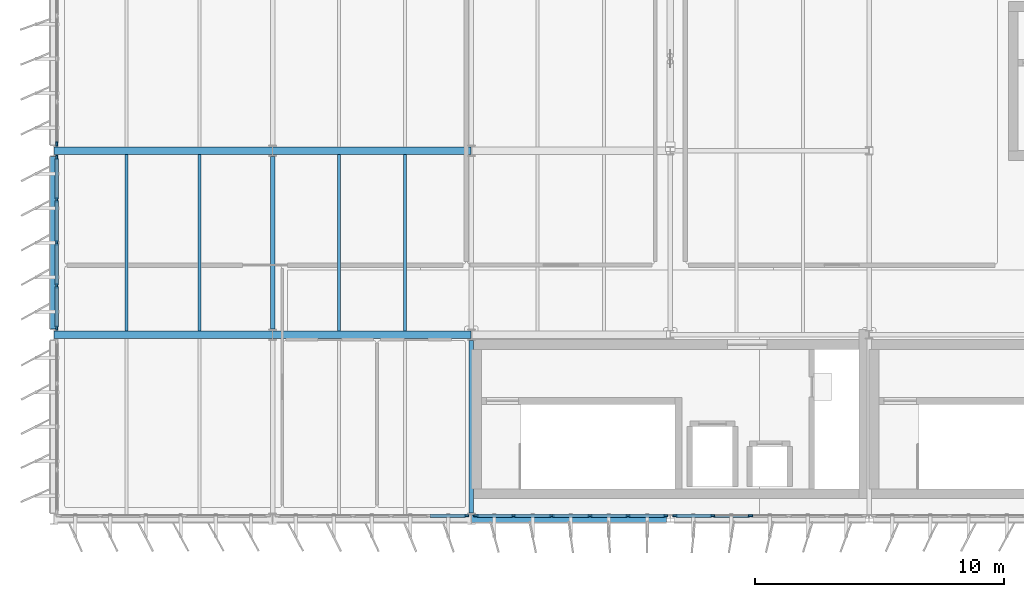
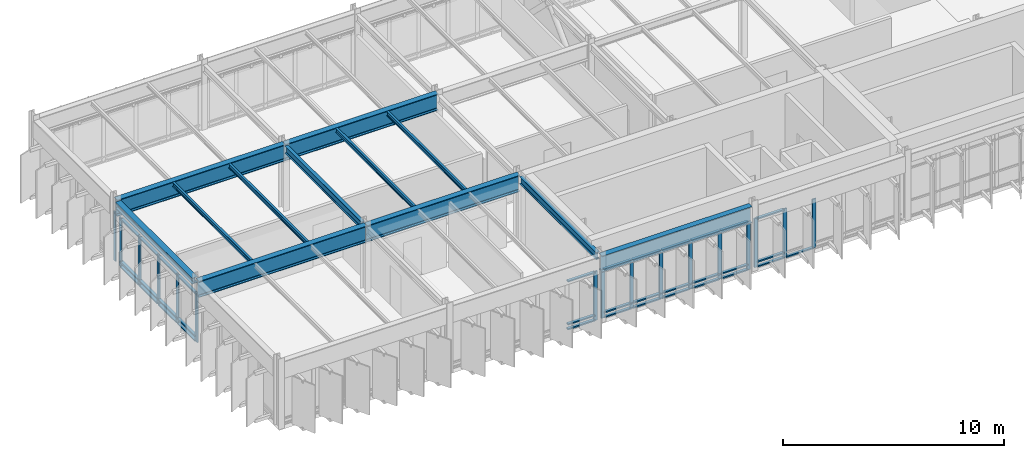
# One storey, part 4 of 20: 50 members, 12 beams, 5 elements without a shape of their own.
"""IFC4 building model written with IfcOpenShell, lengths in metres."""

from ifc_helpers import new_model, si_unit, direction, frame, origin, origin_2d, place, context, subcontext, project, spatial, rectangle, i_section, extrude, material, layer, layer_set, material_profile, profile_set, type_object, element, aggregate, save


model = new_model("IFC4")

# Units and contexts
model_context = context("Model", 3, precision=1e-05, world=origin(), true_north=direction((0.0, 1.0)))
body_context = subcontext(model_context, "Body", "Model", "MODEL_VIEW")
ifc_project = project(units=[si_unit("LENGTHUNIT", "METRE"), si_unit("AREAUNIT", "SQUARE_METRE"), si_unit("VOLUMEUNIT", "CUBIC_METRE"), si_unit("PLANEANGLEUNIT", "RADIAN"), si_unit("MASSUNIT", "GRAM", prefix="KILO")], contexts=[model_context])

# Site, building, storey
site_placement = place(None, origin())
site = spatial("IfcSite", under=ifc_project, at=site_placement, CompositionType="ELEMENT")
building_placement = place(site_placement, origin())
building = spatial("IfcBuilding", under=site, at=building_placement, Name="Valkorina Park Police Headquarters", CompositionType="ELEMENT")
storey_placement = place(building_placement, frame((0.0, 0.0, 31.10009765625)))
storey = spatial("IfcBuildingStorey", under=building, at=storey_placement, Name="L08", CompositionType="ELEMENT", Elevation=31.10009765625)

# Beams
ifc_material_1 = material(Name="Steel S355", Category="steel")
ifc_material_profile_1 = material_profile(ifc_material_1, i_section(OverallWidth=0.300048828125, OverallDepth=0.330078125, WebThickness=0.009521484375, FlangeThickness=0.0166015625, FilletRadius=0.027099609375, at=origin_2d()), Name="HEA 340")
ifc_profile_set_1 = profile_set([ifc_material_profile_1], Name="Steel S355")
beam_type_1 = type_object("IfcBeamType", Name="BM-S355-HEA340-SPN", PredefinedType="SPANDREL", material=ifc_profile_set_1)
beam_1_placement = place(storey_placement, frame((0.0, 44.625, 3.454833984375), z_axis=(0.0, 1.0, 0.0), x_axis=(-1.0, 0.0, 0.0)))
element("IfcBeam", 1, at=beam_1_placement, inside=storey, type_object=beam_type_1, Name="L08 Framing Beam 2821", PredefinedType="SPANDREL", context=body_context, shape_type="SweptSolid", body=[
    extrude(i_section(OverallWidth=0.300048828125, OverallDepth=0.330078125, WebThickness=0.009521484375, FlangeThickness=0.0166015625, FilletRadius=0.027099609375, at=origin_2d()), origin(), (0.0, 0.0, 1.0), 6.949951171875),
])
ifc_material_profile_2 = material_profile(ifc_material_1, i_section(OverallWidth=0.300048828125, OverallDepth=0.89990234375, WebThickness=0.0185546875, FlangeThickness=0.034912109375, FilletRadius=0.030029296875, at=origin_2d()), Name="HEB 900")
ifc_profile_set_2 = profile_set([ifc_material_profile_2], Name="Steel S355")
beam_type_2 = type_object("IfcBeamType", Name="BM-S355-HEB900-BM", PredefinedType="BEAM", material=ifc_profile_set_2)
beam_2_placement = place(storey_placement, frame((0.007080078125, 44.39990234375, 3.169921875), z_axis=(1.0, 0.0, 0.0), x_axis=(0.0, 1.0, 0.0)))
element("IfcBeam", 2, at=beam_2_placement, inside=storey, type_object=beam_type_2, Name="L08 Framing Beam 2800", PredefinedType="BEAM", context=body_context, shape_type="SweptSolid", body=[
    extrude(i_section(OverallWidth=0.300048828125, OverallDepth=0.89990234375, WebThickness=0.0185546875, FlangeThickness=0.034912109375, FilletRadius=0.030029296875, at=origin_2d()), origin(), (0.0, 0.0, 1.0), 8.785888671875),
])
beam_3_placement = place(storey_placement, frame((8.806884765625, 44.39990234375, 3.169921875), z_axis=(1.0, 0.0, 0.0), x_axis=(0.0, 1.0, 0.0)))
element("IfcBeam", 3, at=beam_3_placement, inside=storey, type_object=beam_type_2, Name="L08 Framing Beam 2801", PredefinedType="BEAM", context=body_context, shape_type="SweptSolid", body=[
    extrude(i_section(OverallWidth=0.300048828125, OverallDepth=0.89990234375, WebThickness=0.0185546875, FlangeThickness=0.034912109375, FilletRadius=0.030029296875, at=origin_2d()), origin(), (0.0, 0.0, 1.0), 7.986083984375),
])
beam_4_placement = place(storey_placement, frame((0.007080078125, 51.800048828125, 3.169921875), z_axis=(1.0, 0.0, 0.0), x_axis=(0.0, 1.0, 0.0)))
element("IfcBeam", 4, at=beam_4_placement, inside=storey, type_object=beam_type_2, Name="L08 Framing Beam 2807", PredefinedType="BEAM", context=body_context, shape_type="SweptSolid", body=[
    extrude(i_section(OverallWidth=0.300048828125, OverallDepth=0.89990234375, WebThickness=0.0185546875, FlangeThickness=0.034912109375, FilletRadius=0.030029296875, at=origin_2d()), origin(), (0.0, 0.0, 1.0), 8.785888671875),
])
beam_5_placement = place(storey_placement, frame((8.806884765625, 51.800048828125, 3.169921875), z_axis=(1.0, 0.0, 0.0), x_axis=(0.0, 1.0, 0.0)))
element("IfcBeam", 5, at=beam_5_placement, inside=storey, type_object=beam_type_2, Name="L08 Framing Beam 2808", PredefinedType="BEAM", context=body_context, shape_type="SweptSolid", body=[
    extrude(i_section(OverallWidth=0.300048828125, OverallDepth=0.89990234375, WebThickness=0.0185546875, FlangeThickness=0.034912109375, FilletRadius=0.030029296875, at=origin_2d()), origin(), (0.0, 0.0, 1.0), 7.986083984375),
])
ifc_material_profile_3 = material_profile(ifc_material_1, i_section(OverallWidth=0.300048828125, OverallDepth=0.89990234375, WebThickness=0.0185546875, FlangeThickness=0.034912109375, FilletRadius=0.030029296875, at=origin_2d()), Name="HEB 900")
ifc_profile_set_3 = profile_set([ifc_material_profile_3], Name="Steel S355")
beam_type_3 = type_object("IfcBeamType", Name="BM-S355-HEB900-EXT", PredefinedType="SPANDREL", material=ifc_profile_set_3)
beam_6_placement = place(storey_placement, frame((16.806884765625, 37.0, 3.169921875), z_axis=(1.0, 0.0, 0.0), x_axis=(0.0, 1.0, 0.0)))
element("IfcBeam", 6, at=beam_6_placement, inside=storey, type_object=beam_type_3, Name="L08 Framing Beam 2795", PredefinedType="SPANDREL", context=body_context, shape_type="SweptSolid", body=[
    extrude(i_section(OverallWidth=0.300048828125, OverallDepth=0.89990234375, WebThickness=0.0185546875, FlangeThickness=0.034912109375, FilletRadius=0.030029296875, at=origin_2d()), origin(), (0.0, 0.0, 1.0), 7.843017578125),
])
ifc_material_profile_4 = material_profile(ifc_material_1, i_section(OverallWidth=0.1201171875, OverallDepth=0.239990234375, WebThickness=0.006103515625, FlangeThickness=0.009765625, FilletRadius=0.014892578125, at=origin_2d()), Name="IPE 240")
ifc_profile_set_4 = profile_set([ifc_material_profile_4], Name="Steel S355")
beam_type_4 = type_object("IfcBeamType", Name="BM-S355-IPE240-JST", PredefinedType="JOIST", material=ifc_profile_set_4)
for number, where, z_axis, x_axis, name in (
    (7, (2.933349609375, 44.550048828125, 3.5), (0.0, 1.0, 0.0), (-1.0, 0.0, 0.0), "L08 Framing Beam 2822"),
    (8, (5.86669921875, 44.550048828125, 3.5), (0.0, 1.0, 0.0), (-1.0, 0.0, 0.0), "L08 Framing Beam 2823"),
    (9, (11.466796875, 44.550048828125, 3.5), (0.0, 1.0, 0.0), (-1.0, 0.0, 0.0), "L08 Framing Beam 2831"),
    (10, (14.13330078125, 44.550048828125, 3.5), (0.0, 1.0, 0.0), (-1.0, 0.0, 0.0), "L08 Framing Beam 2832"),
):
    element("IfcBeam", number, at=place(storey_placement, frame(where, z_axis=z_axis, x_axis=x_axis)), inside=storey, type_object=beam_type_4, Name=name, PredefinedType="JOIST", context=body_context, shape_type="SweptSolid", body=[
        extrude(i_section(OverallWidth=0.1201171875, OverallDepth=0.239990234375, WebThickness=0.006103515625, FlangeThickness=0.009765625, FilletRadius=0.014892578125, at=origin_2d()), origin(), (0.0, 0.0, 1.0), 7.099853515625),
    ])
ifc_material_profile_5 = material_profile(ifc_material_1, i_section(OverallWidth=0.179931640625, OverallDepth=0.39990234375, WebThickness=0.008544921875, FlangeThickness=0.013427734375, FilletRadius=0.02099609375, at=origin_2d()), Name="IPE 400")
ifc_profile_set_5 = profile_set([ifc_material_profile_5], Name="Steel S355")
beam_type_5 = type_object("IfcBeamType", Name="BM-S355-IPE400-BM", PredefinedType="BEAM", material=ifc_profile_set_5)
for number, where, z_axis, x_axis, name in (
    (11, (8.800048828125, 44.625, 3.419921875), (0.0, 1.0, 0.0), (-1.0, 0.0, 0.0), "L08 Framing Beam 2830"),
    (12, (16.800048828125, 37.22509765625, 3.419921875), (0.0, 1.0, 0.0), (-1.0, 0.0, 0.0), "L08 Framing Beam 2836"),
):
    element("IfcBeam", number, at=place(storey_placement, frame(where, z_axis=z_axis, x_axis=x_axis)), inside=storey, type_object=beam_type_5, Name=name, PredefinedType="BEAM", context=body_context, shape_type="SweptSolid", body=[
        extrude(i_section(OverallWidth=0.179931640625, OverallDepth=0.39990234375, WebThickness=0.008544921875, FlangeThickness=0.013427734375, FilletRadius=0.02099609375, at=origin_2d()), origin(), (0.0, 0.0, 1.0), 6.949951171875),
    ])

# Curtain wall, members
ifc_material_2 = material(Name="Thermally broken aluminium AW-6060", Category="aluminium")
ifc_layer_1 = layer(ifc_material_2, 0.18994140625)
ifc_layer_set_1 = layer_set([ifc_layer_1], Name="Thermally broken aluminium AW-6060")
curtain_wall_type_1 = type_object("IfcCurtainWallType", Name="CW-V5-7680x2710", PredefinedType="NOTDEFINED", material=ifc_layer_set_1)
curtain_wall_1_placement = place(storey_placement, origin())
curtain_wall_1 = element("IfcCurtainWall", 13, at=curtain_wall_1_placement, inside=storey, type_object=curtain_wall_type_1, Name="L08 Unitised Curtain Wall 159", PredefinedType="NOTDEFINED")
ifc_material_profile_6 = material_profile(ifc_material_2, rectangle(XDim=0.070068359375, YDim=0.18994140625, at=origin_2d()), Name="CWM-02 70x190")
ifc_profile_set_6 = profile_set([ifc_material_profile_6], Name="Thermally broken aluminium AW-6060")
member_type_1 = type_object("IfcMemberType", Name="CWM-70x190", PredefinedType="MULLION", material=ifc_profile_set_6)
member_1_placement = place(storey_placement, frame((28.031982421875, 37.1201171875, 0.0), z_axis=(0.0, 0.0, 1.0), x_axis=(0.0, -1.0, 0.0)))
member_1 = element("IfcMember", 14, at=member_1_placement, type_object=member_type_1, Name="CW-V5-768-271 mullion 4", PredefinedType="MULLION", context=body_context, shape_type="SweptSolid", body=[
    extrude(rectangle(XDim=0.070068359375, YDim=0.18994140625, at=origin_2d()), origin(), (0.0, 0.0, 1.0), 2.7099609375),
])
member_2_placement = place(storey_placement, frame((26.49609375, 37.1201171875, 0.0), z_axis=(0.0, 0.0, 1.0), x_axis=(0.0, -1.0, 0.0)))
member_2 = element("IfcMember", 15, at=member_2_placement, type_object=member_type_1, Name="CW-V5-768-271 mullion 5", PredefinedType="MULLION", context=body_context, shape_type="SweptSolid", body=[
    extrude(rectangle(XDim=0.070068359375, YDim=0.18994140625, at=origin_2d()), origin(), (0.0, 0.0, 1.0), 2.7099609375),
])
member_3_placement = place(storey_placement, frame((24.9951171875, 37.1201171875, 0.0), z_axis=(0.0, 0.0, 1.0), x_axis=(0.0, -1.0, 0.0)))
member_3 = element("IfcMember", 16, at=member_3_placement, type_object=member_type_1, Name="CW-V5-768-271 mullion 6", PredefinedType="MULLION", context=body_context, shape_type="SweptSolid", body=[
    extrude(rectangle(XDim=0.070068359375, YDim=0.18994140625, at=origin_2d()), origin(), (0.0, 0.0, 1.0), 2.7099609375),
])

curtain_wall_2_placement = place(storey_placement, origin())
curtain_wall_2 = element("IfcCurtainWall", 17, at=curtain_wall_2_placement, inside=storey, type_object=curtain_wall_type_1, Name="L08 Unitised Curtain Wall 160", PredefinedType="NOTDEFINED")
member_4_placement = place(storey_placement, frame((24.60498046875, 37.1201171875, 0.0), z_axis=(0.0, 0.0, 1.0), x_axis=(0.0, -1.0, 0.0)))
member_4 = element("IfcMember", 18, at=member_4_placement, type_object=member_type_1, Name="CW-V5-768-271 mullion 1", PredefinedType="MULLION", context=body_context, shape_type="SweptSolid", body=[
    extrude(rectangle(XDim=0.070068359375, YDim=0.18994140625, at=origin_2d()), origin(), (0.0, 0.0, 1.0), 2.7099609375),
])
member_5_placement = place(storey_placement, frame((23.10400390625, 37.1201171875, 0.0), z_axis=(0.0, 0.0, 1.0), x_axis=(0.0, -1.0, 0.0)))
member_5 = element("IfcMember", 19, at=member_5_placement, type_object=member_type_1, Name="CW-V5-768-271 mullion 2", PredefinedType="MULLION", context=body_context, shape_type="SweptSolid", body=[
    extrude(rectangle(XDim=0.070068359375, YDim=0.18994140625, at=origin_2d()), origin(), (0.0, 0.0, 1.0), 2.7099609375),
])
member_6_placement = place(storey_placement, frame((21.568115234375, 37.1201171875, 0.0), z_axis=(0.0, 0.0, 1.0), x_axis=(0.0, -1.0, 0.0)))
member_6 = element("IfcMember", 20, at=member_6_placement, type_object=member_type_1, Name="CW-V5-768-271 mullion 3", PredefinedType="MULLION", context=body_context, shape_type="SweptSolid", body=[
    extrude(rectangle(XDim=0.070068359375, YDim=0.18994140625, at=origin_2d()), origin(), (0.0, 0.0, 1.0), 2.7099609375),
])
member_7_placement = place(storey_placement, frame((20.031982421875, 37.1201171875, 0.0), z_axis=(0.0, 0.0, 1.0), x_axis=(0.0, -1.0, 0.0)))
member_7 = element("IfcMember", 21, at=member_7_placement, type_object=member_type_1, Name="CW-V5-768-271 mullion 4", PredefinedType="MULLION", context=body_context, shape_type="SweptSolid", body=[
    extrude(rectangle(XDim=0.070068359375, YDim=0.18994140625, at=origin_2d()), origin(), (0.0, 0.0, 1.0), 2.7099609375),
])
member_8_placement = place(storey_placement, frame((18.49609375, 37.1201171875, 0.0), z_axis=(0.0, 0.0, 1.0), x_axis=(0.0, -1.0, 0.0)))
member_8 = element("IfcMember", 22, at=member_8_placement, type_object=member_type_1, Name="CW-V5-768-271 mullion 5", PredefinedType="MULLION", context=body_context, shape_type="SweptSolid", body=[
    extrude(rectangle(XDim=0.070068359375, YDim=0.18994140625, at=origin_2d()), origin(), (0.0, 0.0, 1.0), 2.7099609375),
])
member_9_placement = place(storey_placement, frame((16.9951171875, 37.1201171875, 0.0), z_axis=(0.0, 0.0, 1.0), x_axis=(0.0, -1.0, 0.0)))
member_9 = element("IfcMember", 23, at=member_9_placement, type_object=member_type_1, Name="CW-V5-768-271 mullion 6", PredefinedType="MULLION", context=body_context, shape_type="SweptSolid", body=[
    extrude(rectangle(XDim=0.070068359375, YDim=0.18994140625, at=origin_2d()), origin(), (0.0, 0.0, 1.0), 2.7099609375),
])

# Curtain wall, member
curtain_wall_3_placement = place(storey_placement, origin())
curtain_wall_3 = element("IfcCurtainWall", 24, at=curtain_wall_3_placement, inside=storey, type_object=curtain_wall_type_1, Name="L08 Unitised Curtain Wall 161", PredefinedType="NOTDEFINED")
member_10_placement = place(storey_placement, frame((16.60498046875, 37.1201171875, 0.0), z_axis=(0.0, 0.0, 1.0), x_axis=(0.0, -1.0, 0.0)))
member_10 = element("IfcMember", 25, at=member_10_placement, type_object=member_type_1, Name="CW-V5-768-271 mullion 1", PredefinedType="MULLION", context=body_context, shape_type="SweptSolid", body=[
    extrude(rectangle(XDim=0.070068359375, YDim=0.18994140625, at=origin_2d()), origin(), (0.0, 0.0, 1.0), 2.7099609375),
])

# Curtain wall, members
ifc_layer_2 = layer(ifc_material_2, 0.18994140625)
ifc_layer_set_2 = layer_set([ifc_layer_2], Name="Thermally broken aluminium AW-6060")
curtain_wall_type_2 = type_object("IfcCurtainWallType", Name="CW-V5-6930x2710", PredefinedType="NOTDEFINED", material=ifc_layer_set_2)
curtain_wall_4_placement = place(storey_placement, origin())
curtain_wall_4 = element("IfcCurtainWall", 26, at=curtain_wall_4_placement, inside=storey, type_object=curtain_wall_type_2, Name="L08 Unitised Curtain Wall 164", PredefinedType="NOTDEFINED")
member_11_placement = place(storey_placement, frame((0.1201171875, 44.669921875, 0.0), z_axis=(0.0, 0.0, 1.0), x_axis=(-1.0, 0.0, 0.0)))
member_11 = element("IfcMember", 27, at=member_11_placement, type_object=member_type_1, Name="CW-V5-693-271 mullion 1", PredefinedType="MULLION", context=body_context, shape_type="SweptSolid", body=[
    extrude(rectangle(XDim=0.070068359375, YDim=0.18994140625, at=origin_2d()), origin(), (0.0, 0.0, 1.0), 2.7099609375),
])
member_12_placement = place(storey_placement, frame((0.1201171875, 46.367431640625, 0.0), z_axis=(0.0, 0.0, 1.0), x_axis=(-1.0, 0.0, 0.0)))
member_12 = element("IfcMember", 28, at=member_12_placement, type_object=member_type_1, Name="CW-V5-693-271 mullion 2", PredefinedType="MULLION", context=body_context, shape_type="SweptSolid", body=[
    extrude(rectangle(XDim=0.070068359375, YDim=0.18994140625, at=origin_2d()), origin(), (0.0, 0.0, 1.0), 2.7099609375),
])
member_13_placement = place(storey_placement, frame((0.1201171875, 48.10009765625, 0.0), z_axis=(0.0, 0.0, 1.0), x_axis=(-1.0, 0.0, 0.0)))
member_13 = element("IfcMember", 29, at=member_13_placement, type_object=member_type_1, Name="CW-V5-693-271 mullion 3", PredefinedType="MULLION", context=body_context, shape_type="SweptSolid", body=[
    extrude(rectangle(XDim=0.070068359375, YDim=0.18994140625, at=origin_2d()), origin(), (0.0, 0.0, 1.0), 2.7099609375),
])
member_14_placement = place(storey_placement, frame((0.1201171875, 49.83251953125, 0.0), z_axis=(0.0, 0.0, 1.0), x_axis=(-1.0, 0.0, 0.0)))
member_14 = element("IfcMember", 30, at=member_14_placement, type_object=member_type_1, Name="CW-V5-693-271 mullion 4", PredefinedType="MULLION", context=body_context, shape_type="SweptSolid", body=[
    extrude(rectangle(XDim=0.070068359375, YDim=0.18994140625, at=origin_2d()), origin(), (0.0, 0.0, 1.0), 2.7099609375),
])
member_15_placement = place(storey_placement, frame((0.1201171875, 51.530029296875, 0.0), z_axis=(0.0, 0.0, 1.0), x_axis=(-1.0, 0.0, 0.0)))
member_15 = element("IfcMember", 31, at=member_15_placement, type_object=member_type_1, Name="CW-V5-693-271 mullion 5", PredefinedType="MULLION", context=body_context, shape_type="SweptSolid", body=[
    extrude(rectangle(XDim=0.070068359375, YDim=0.18994140625, at=origin_2d()), origin(), (0.0, 0.0, 1.0), 2.7099609375),
])

# Curtain wall, member
curtain_wall_5_placement = place(storey_placement, origin())
curtain_wall_5 = element("IfcCurtainWall", 32, at=curtain_wall_5_placement, inside=storey, type_object=curtain_wall_type_2, Name="L08 Unitised Curtain Wall 165", PredefinedType="NOTDEFINED")
member_16_placement = place(storey_placement, frame((0.1201171875, 52.070068359375, 0.0), z_axis=(0.0, 0.0, 1.0), x_axis=(-1.0, 0.0, 0.0)))
member_16 = element("IfcMember", 33, at=member_16_placement, type_object=member_type_1, Name="CW-V5-693-271 mullion 1", PredefinedType="MULLION", context=body_context, shape_type="SweptSolid", body=[
    extrude(rectangle(XDim=0.070068359375, YDim=0.18994140625, at=origin_2d()), origin(), (0.0, 0.0, 1.0), 2.7099609375),
])
aggregate(curtain_wall_5, [member_16])

# Member
ifc_material_profile_7 = material_profile(ifc_material_2, rectangle(XDim=0.14990234375, YDim=0.070068359375, at=origin_2d()), Name="CWT-02 150x70")
ifc_profile_set_7 = profile_set([ifc_material_profile_7], Name="Thermally broken aluminium AW-6060")
member_type_2 = type_object("IfcMemberType", Name="CWT-150x70", PredefinedType="USERDEFINED", material=ifc_profile_set_7)
member_17_placement = place(storey_placement, frame((27.9970703125, 37.1201171875, 0.034912109375), z_axis=(-1.0, 0.0, 0.0), x_axis=(0.0, -1.0, 0.0)))
member_17 = element("IfcMember", 34, at=member_17_placement, type_object=member_type_2, Name="CW-V5-768-271 transom 4.1", ObjectType="TRANSOM", PredefinedType="USERDEFINED", context=body_context, shape_type="SweptSolid", body=[
    extrude(rectangle(XDim=0.14990234375, YDim=0.070068359375, at=origin_2d()), origin(), (0.0, 0.0, 1.0), 1.466064453125),
])

member_18_placement = place(storey_placement, frame((26.4609375, 37.1201171875, 0.034912109375), z_axis=(-1.0, 0.0, 0.0), x_axis=(0.0, -1.0, 0.0)))
member_18 = element("IfcMember", 35, at=member_18_placement, type_object=member_type_2, Name="CW-V5-768-271 transom 5.1", ObjectType="TRANSOM", PredefinedType="USERDEFINED", context=body_context, shape_type="SweptSolid", body=[
    extrude(rectangle(XDim=0.14990234375, YDim=0.070068359375, at=origin_2d()), origin(), (0.0, 0.0, 1.0), 1.430908203125),
])

member_19_placement = place(storey_placement, frame((26.4609375, 37.1201171875, 0.2998046875), z_axis=(-1.0, 0.0, 0.0), x_axis=(0.0, -1.0, 0.0)))
member_19 = element("IfcMember", 36, at=member_19_placement, type_object=member_type_2, Name="CW-V5-768-271 transom 5.2", ObjectType="TRANSOM", PredefinedType="USERDEFINED", context=body_context, shape_type="SweptSolid", body=[
    extrude(rectangle(XDim=0.14990234375, YDim=0.070068359375, at=origin_2d()), origin(), (0.0, 0.0, 1.0), 1.430908203125),
])

member_20_placement = place(storey_placement, frame((26.4609375, 37.1201171875, 2.6748046875), z_axis=(-1.0, 0.0, 0.0), x_axis=(0.0, -1.0, 0.0)))
member_20 = element("IfcMember", 37, at=member_20_placement, type_object=member_type_2, Name="CW-V5-768-271 transom 5.3", ObjectType="TRANSOM", PredefinedType="USERDEFINED", context=body_context, shape_type="SweptSolid", body=[
    extrude(rectangle(XDim=0.14990234375, YDim=0.070068359375, at=origin_2d()), origin(), (0.0, 0.0, 1.0), 1.430908203125),
])

aggregate(curtain_wall_1, [member_1, member_2, member_3, member_17, member_18, member_19, member_20])

member_21_placement = place(storey_placement, frame((24.570068359375, 37.1201171875, 0.034912109375), z_axis=(-1.0, 0.0, 0.0), x_axis=(0.0, -1.0, 0.0)))
member_21 = element("IfcMember", 38, at=member_21_placement, type_object=member_type_2, Name="CW-V5-768-271 transom 1.1", ObjectType="TRANSOM", PredefinedType="USERDEFINED", context=body_context, shape_type="SweptSolid", body=[
    extrude(rectangle(XDim=0.14990234375, YDim=0.070068359375, at=origin_2d()), origin(), (0.0, 0.0, 1.0), 1.43115234375),
])

member_22_placement = place(storey_placement, frame((24.570068359375, 37.1201171875, 0.2998046875), z_axis=(-1.0, 0.0, 0.0), x_axis=(0.0, -1.0, 0.0)))
member_22 = element("IfcMember", 39, at=member_22_placement, type_object=member_type_2, Name="CW-V5-768-271 transom 1.2", ObjectType="TRANSOM", PredefinedType="USERDEFINED", context=body_context, shape_type="SweptSolid", body=[
    extrude(rectangle(XDim=0.14990234375, YDim=0.070068359375, at=origin_2d()), origin(), (0.0, 0.0, 1.0), 1.43115234375),
])

member_23_placement = place(storey_placement, frame((24.570068359375, 37.1201171875, 2.6748046875), z_axis=(-1.0, 0.0, 0.0), x_axis=(0.0, -1.0, 0.0)))
member_23 = element("IfcMember", 40, at=member_23_placement, type_object=member_type_2, Name="CW-V5-768-271 transom 1.3", ObjectType="TRANSOM", PredefinedType="USERDEFINED", context=body_context, shape_type="SweptSolid", body=[
    extrude(rectangle(XDim=0.14990234375, YDim=0.070068359375, at=origin_2d()), origin(), (0.0, 0.0, 1.0), 1.43115234375),
])

member_24_placement = place(storey_placement, frame((23.069091796875, 37.1201171875, 0.034912109375), z_axis=(-1.0, 0.0, 0.0), x_axis=(0.0, -1.0, 0.0)))
member_24 = element("IfcMember", 41, at=member_24_placement, type_object=member_type_2, Name="CW-V5-768-271 transom 2.1", ObjectType="TRANSOM", PredefinedType="USERDEFINED", context=body_context, shape_type="SweptSolid", body=[
    extrude(rectangle(XDim=0.14990234375, YDim=0.070068359375, at=origin_2d()), origin(), (0.0, 0.0, 1.0), 1.466064453125),
])

member_25_placement = place(storey_placement, frame((23.069091796875, 37.1201171875, 0.2998046875), z_axis=(-1.0, 0.0, 0.0), x_axis=(0.0, -1.0, 0.0)))
member_25 = element("IfcMember", 42, at=member_25_placement, type_object=member_type_2, Name="CW-V5-768-271 transom 2.2", ObjectType="TRANSOM", PredefinedType="USERDEFINED", context=body_context, shape_type="SweptSolid", body=[
    extrude(rectangle(XDim=0.14990234375, YDim=0.070068359375, at=origin_2d()), origin(), (0.0, 0.0, 1.0), 1.466064453125),
])

member_26_placement = place(storey_placement, frame((23.069091796875, 37.1201171875, 2.6748046875), z_axis=(-1.0, 0.0, 0.0), x_axis=(0.0, -1.0, 0.0)))
member_26 = element("IfcMember", 43, at=member_26_placement, type_object=member_type_2, Name="CW-V5-768-271 transom 2.3", ObjectType="TRANSOM", PredefinedType="USERDEFINED", context=body_context, shape_type="SweptSolid", body=[
    extrude(rectangle(XDim=0.14990234375, YDim=0.070068359375, at=origin_2d()), origin(), (0.0, 0.0, 1.0), 1.466064453125),
])

member_27_placement = place(storey_placement, frame((21.532958984375, 37.1201171875, 0.034912109375), z_axis=(-1.0, 0.0, 0.0), x_axis=(0.0, -1.0, 0.0)))
member_27 = element("IfcMember", 44, at=member_27_placement, type_object=member_type_2, Name="CW-V5-768-271 transom 3.1", ObjectType="TRANSOM", PredefinedType="USERDEFINED", context=body_context, shape_type="SweptSolid", body=[
    extrude(rectangle(XDim=0.14990234375, YDim=0.070068359375, at=origin_2d()), origin(), (0.0, 0.0, 1.0), 1.466064453125),
])

member_28_placement = place(storey_placement, frame((21.532958984375, 37.1201171875, 0.2998046875), z_axis=(-1.0, 0.0, 0.0), x_axis=(0.0, -1.0, 0.0)))
member_28 = element("IfcMember", 45, at=member_28_placement, type_object=member_type_2, Name="CW-V5-768-271 transom 3.2", ObjectType="TRANSOM", PredefinedType="USERDEFINED", context=body_context, shape_type="SweptSolid", body=[
    extrude(rectangle(XDim=0.14990234375, YDim=0.070068359375, at=origin_2d()), origin(), (0.0, 0.0, 1.0), 1.466064453125),
])

member_29_placement = place(storey_placement, frame((21.532958984375, 37.1201171875, 2.6748046875), z_axis=(-1.0, 0.0, 0.0), x_axis=(0.0, -1.0, 0.0)))
member_29 = element("IfcMember", 46, at=member_29_placement, type_object=member_type_2, Name="CW-V5-768-271 transom 3.3", ObjectType="TRANSOM", PredefinedType="USERDEFINED", context=body_context, shape_type="SweptSolid", body=[
    extrude(rectangle(XDim=0.14990234375, YDim=0.070068359375, at=origin_2d()), origin(), (0.0, 0.0, 1.0), 1.466064453125),
])

member_30_placement = place(storey_placement, frame((19.9970703125, 37.1201171875, 0.034912109375), z_axis=(-1.0, 0.0, 0.0), x_axis=(0.0, -1.0, 0.0)))
member_30 = element("IfcMember", 47, at=member_30_placement, type_object=member_type_2, Name="CW-V5-768-271 transom 4.1", ObjectType="TRANSOM", PredefinedType="USERDEFINED", context=body_context, shape_type="SweptSolid", body=[
    extrude(rectangle(XDim=0.14990234375, YDim=0.070068359375, at=origin_2d()), origin(), (0.0, 0.0, 1.0), 1.466064453125),
])

member_31_placement = place(storey_placement, frame((19.9970703125, 37.1201171875, 0.2998046875), z_axis=(-1.0, 0.0, 0.0), x_axis=(0.0, -1.0, 0.0)))
member_31 = element("IfcMember", 48, at=member_31_placement, type_object=member_type_2, Name="CW-V5-768-271 transom 4.2", ObjectType="TRANSOM", PredefinedType="USERDEFINED", context=body_context, shape_type="SweptSolid", body=[
    extrude(rectangle(XDim=0.14990234375, YDim=0.070068359375, at=origin_2d()), origin(), (0.0, 0.0, 1.0), 1.466064453125),
])

member_32_placement = place(storey_placement, frame((19.9970703125, 37.1201171875, 2.6748046875), z_axis=(-1.0, 0.0, 0.0), x_axis=(0.0, -1.0, 0.0)))
member_32 = element("IfcMember", 49, at=member_32_placement, type_object=member_type_2, Name="CW-V5-768-271 transom 4.3", ObjectType="TRANSOM", PredefinedType="USERDEFINED", context=body_context, shape_type="SweptSolid", body=[
    extrude(rectangle(XDim=0.14990234375, YDim=0.070068359375, at=origin_2d()), origin(), (0.0, 0.0, 1.0), 1.466064453125),
])

member_33_placement = place(storey_placement, frame((18.4609375, 37.1201171875, 0.034912109375), z_axis=(-1.0, 0.0, 0.0), x_axis=(0.0, -1.0, 0.0)))
member_33 = element("IfcMember", 50, at=member_33_placement, type_object=member_type_2, Name="CW-V5-768-271 transom 5.1", ObjectType="TRANSOM", PredefinedType="USERDEFINED", context=body_context, shape_type="SweptSolid", body=[
    extrude(rectangle(XDim=0.14990234375, YDim=0.070068359375, at=origin_2d()), origin(), (0.0, 0.0, 1.0), 1.430908203125),
])

member_34_placement = place(storey_placement, frame((18.4609375, 37.1201171875, 0.2998046875), z_axis=(-1.0, 0.0, 0.0), x_axis=(0.0, -1.0, 0.0)))
member_34 = element("IfcMember", 51, at=member_34_placement, type_object=member_type_2, Name="CW-V5-768-271 transom 5.2", ObjectType="TRANSOM", PredefinedType="USERDEFINED", context=body_context, shape_type="SweptSolid", body=[
    extrude(rectangle(XDim=0.14990234375, YDim=0.070068359375, at=origin_2d()), origin(), (0.0, 0.0, 1.0), 1.430908203125),
])

member_35_placement = place(storey_placement, frame((18.4609375, 37.1201171875, 2.6748046875), z_axis=(-1.0, 0.0, 0.0), x_axis=(0.0, -1.0, 0.0)))
member_35 = element("IfcMember", 52, at=member_35_placement, type_object=member_type_2, Name="CW-V5-768-271 transom 5.3", ObjectType="TRANSOM", PredefinedType="USERDEFINED", context=body_context, shape_type="SweptSolid", body=[
    extrude(rectangle(XDim=0.14990234375, YDim=0.070068359375, at=origin_2d()), origin(), (0.0, 0.0, 1.0), 1.430908203125),
])

aggregate(curtain_wall_2, [member_4, member_5, member_6, member_7, member_8, member_9, member_21, member_22, member_23, member_24, member_25, member_26, member_27, member_28, member_29, member_30, member_31, member_32, member_33, member_34, member_35])

member_36_placement = place(storey_placement, frame((16.570068359375, 37.1201171875, 0.034912109375), z_axis=(-1.0, 0.0, 0.0), x_axis=(0.0, -1.0, 0.0)))
member_36 = element("IfcMember", 53, at=member_36_placement, type_object=member_type_2, Name="CW-V5-768-271 transom 1.1", ObjectType="TRANSOM", PredefinedType="USERDEFINED", context=body_context, shape_type="SweptSolid", body=[
    extrude(rectangle(XDim=0.14990234375, YDim=0.070068359375, at=origin_2d()), origin(), (0.0, 0.0, 1.0), 1.43115234375),
])

member_37_placement = place(storey_placement, frame((16.570068359375, 37.1201171875, 0.2998046875), z_axis=(-1.0, 0.0, 0.0), x_axis=(0.0, -1.0, 0.0)))
member_37 = element("IfcMember", 54, at=member_37_placement, type_object=member_type_2, Name="CW-V5-768-271 transom 1.2", ObjectType="TRANSOM", PredefinedType="USERDEFINED", context=body_context, shape_type="SweptSolid", body=[
    extrude(rectangle(XDim=0.14990234375, YDim=0.070068359375, at=origin_2d()), origin(), (0.0, 0.0, 1.0), 1.43115234375),
])

member_38_placement = place(storey_placement, frame((16.570068359375, 37.1201171875, 2.6748046875), z_axis=(-1.0, 0.0, 0.0), x_axis=(0.0, -1.0, 0.0)))
member_38 = element("IfcMember", 55, at=member_38_placement, type_object=member_type_2, Name="CW-V5-768-271 transom 1.3", ObjectType="TRANSOM", PredefinedType="USERDEFINED", context=body_context, shape_type="SweptSolid", body=[
    extrude(rectangle(XDim=0.14990234375, YDim=0.070068359375, at=origin_2d()), origin(), (0.0, 0.0, 1.0), 1.43115234375),
])

aggregate(curtain_wall_3, [member_10, member_36, member_37, member_38])

member_39_placement = place(storey_placement, frame((0.1201171875, 44.705078125, 0.034912109375), z_axis=(0.0, 1.0, 0.0), x_axis=(-1.0, 0.0, 0.0)))
member_39 = element("IfcMember", 56, at=member_39_placement, type_object=member_type_2, Name="CW-V5-693-271 transom 1.1", ObjectType="TRANSOM", PredefinedType="USERDEFINED", context=body_context, shape_type="SweptSolid", body=[
    extrude(rectangle(XDim=0.14990234375, YDim=0.070068359375, at=origin_2d()), origin(), (0.0, 0.0, 1.0), 1.62744140625),
])

member_40_placement = place(storey_placement, frame((0.1201171875, 44.705078125, 0.2998046875), z_axis=(0.0, 1.0, 0.0), x_axis=(-1.0, 0.0, 0.0)))
member_40 = element("IfcMember", 57, at=member_40_placement, type_object=member_type_2, Name="CW-V5-693-271 transom 1.2", ObjectType="TRANSOM", PredefinedType="USERDEFINED", context=body_context, shape_type="SweptSolid", body=[
    extrude(rectangle(XDim=0.14990234375, YDim=0.070068359375, at=origin_2d()), origin(), (0.0, 0.0, 1.0), 1.62744140625),
])

member_41_placement = place(storey_placement, frame((0.1201171875, 44.705078125, 2.6748046875), z_axis=(0.0, 1.0, 0.0), x_axis=(-1.0, 0.0, 0.0)))
member_41 = element("IfcMember", 58, at=member_41_placement, type_object=member_type_2, Name="CW-V5-693-271 transom 1.3", ObjectType="TRANSOM", PredefinedType="USERDEFINED", context=body_context, shape_type="SweptSolid", body=[
    extrude(rectangle(XDim=0.14990234375, YDim=0.070068359375, at=origin_2d()), origin(), (0.0, 0.0, 1.0), 1.62744140625),
])

member_42_placement = place(storey_placement, frame((0.1201171875, 46.402587890625, 0.034912109375), z_axis=(0.0, 1.0, 0.0), x_axis=(-1.0, 0.0, 0.0)))
member_42 = element("IfcMember", 59, at=member_42_placement, type_object=member_type_2, Name="CW-V5-693-271 transom 2.1", ObjectType="TRANSOM", PredefinedType="USERDEFINED", context=body_context, shape_type="SweptSolid", body=[
    extrude(rectangle(XDim=0.14990234375, YDim=0.070068359375, at=origin_2d()), origin(), (0.0, 0.0, 1.0), 1.662353515625),
])

member_43_placement = place(storey_placement, frame((0.1201171875, 46.402587890625, 0.2998046875), z_axis=(0.0, 1.0, 0.0), x_axis=(-1.0, 0.0, 0.0)))
member_43 = element("IfcMember", 60, at=member_43_placement, type_object=member_type_2, Name="CW-V5-693-271 transom 2.2", ObjectType="TRANSOM", PredefinedType="USERDEFINED", context=body_context, shape_type="SweptSolid", body=[
    extrude(rectangle(XDim=0.14990234375, YDim=0.070068359375, at=origin_2d()), origin(), (0.0, 0.0, 1.0), 1.662353515625),
])

member_44_placement = place(storey_placement, frame((0.1201171875, 46.402587890625, 2.6748046875), z_axis=(0.0, 1.0, 0.0), x_axis=(-1.0, 0.0, 0.0)))
member_44 = element("IfcMember", 61, at=member_44_placement, type_object=member_type_2, Name="CW-V5-693-271 transom 2.3", ObjectType="TRANSOM", PredefinedType="USERDEFINED", context=body_context, shape_type="SweptSolid", body=[
    extrude(rectangle(XDim=0.14990234375, YDim=0.070068359375, at=origin_2d()), origin(), (0.0, 0.0, 1.0), 1.662353515625),
])

member_45_placement = place(storey_placement, frame((0.1201171875, 48.135009765625, 0.034912109375), z_axis=(0.0, 1.0, 0.0), x_axis=(-1.0, 0.0, 0.0)))
member_45 = element("IfcMember", 62, at=member_45_placement, type_object=member_type_2, Name="CW-V5-693-271 transom 3.1", ObjectType="TRANSOM", PredefinedType="USERDEFINED", context=body_context, shape_type="SweptSolid", body=[
    extrude(rectangle(XDim=0.14990234375, YDim=0.070068359375, at=origin_2d()), origin(), (0.0, 0.0, 1.0), 1.66259765625),
])

member_46_placement = place(storey_placement, frame((0.1201171875, 48.135009765625, 0.2998046875), z_axis=(0.0, 1.0, 0.0), x_axis=(-1.0, 0.0, 0.0)))
member_46 = element("IfcMember", 63, at=member_46_placement, type_object=member_type_2, Name="CW-V5-693-271 transom 3.2", ObjectType="TRANSOM", PredefinedType="USERDEFINED", context=body_context, shape_type="SweptSolid", body=[
    extrude(rectangle(XDim=0.14990234375, YDim=0.070068359375, at=origin_2d()), origin(), (0.0, 0.0, 1.0), 1.66259765625),
])

member_47_placement = place(storey_placement, frame((0.1201171875, 48.135009765625, 2.6748046875), z_axis=(0.0, 1.0, 0.0), x_axis=(-1.0, 0.0, 0.0)))
member_47 = element("IfcMember", 64, at=member_47_placement, type_object=member_type_2, Name="CW-V5-693-271 transom 3.3", ObjectType="TRANSOM", PredefinedType="USERDEFINED", context=body_context, shape_type="SweptSolid", body=[
    extrude(rectangle(XDim=0.14990234375, YDim=0.070068359375, at=origin_2d()), origin(), (0.0, 0.0, 1.0), 1.66259765625),
])

member_48_placement = place(storey_placement, frame((0.1201171875, 49.867431640625, 0.034912109375), z_axis=(0.0, 1.0, 0.0), x_axis=(-1.0, 0.0, 0.0)))
member_48 = element("IfcMember", 65, at=member_48_placement, type_object=member_type_2, Name="CW-V5-693-271 transom 4.1", ObjectType="TRANSOM", PredefinedType="USERDEFINED", context=body_context, shape_type="SweptSolid", body=[
    extrude(rectangle(XDim=0.14990234375, YDim=0.070068359375, at=origin_2d()), origin(), (0.0, 0.0, 1.0), 1.627685546875),
])

member_49_placement = place(storey_placement, frame((0.1201171875, 49.867431640625, 0.2998046875), z_axis=(0.0, 1.0, 0.0), x_axis=(-1.0, 0.0, 0.0)))
member_49 = element("IfcMember", 66, at=member_49_placement, type_object=member_type_2, Name="CW-V5-693-271 transom 4.2", ObjectType="TRANSOM", PredefinedType="USERDEFINED", context=body_context, shape_type="SweptSolid", body=[
    extrude(rectangle(XDim=0.14990234375, YDim=0.070068359375, at=origin_2d()), origin(), (0.0, 0.0, 1.0), 1.627685546875),
])

member_50_placement = place(storey_placement, frame((0.1201171875, 49.867431640625, 2.6748046875), z_axis=(0.0, 1.0, 0.0), x_axis=(-1.0, 0.0, 0.0)))
member_50 = element("IfcMember", 67, at=member_50_placement, type_object=member_type_2, Name="CW-V5-693-271 transom 4.3", ObjectType="TRANSOM", PredefinedType="USERDEFINED", context=body_context, shape_type="SweptSolid", body=[
    extrude(rectangle(XDim=0.14990234375, YDim=0.070068359375, at=origin_2d()), origin(), (0.0, 0.0, 1.0), 1.627685546875),
])

aggregate(curtain_wall_4, [member_11, member_12, member_13, member_14, member_15, member_39, member_40, member_41, member_42, member_43, member_44, member_45, member_46, member_47, member_48, member_49, member_50])

save(model, "model.ifc")
